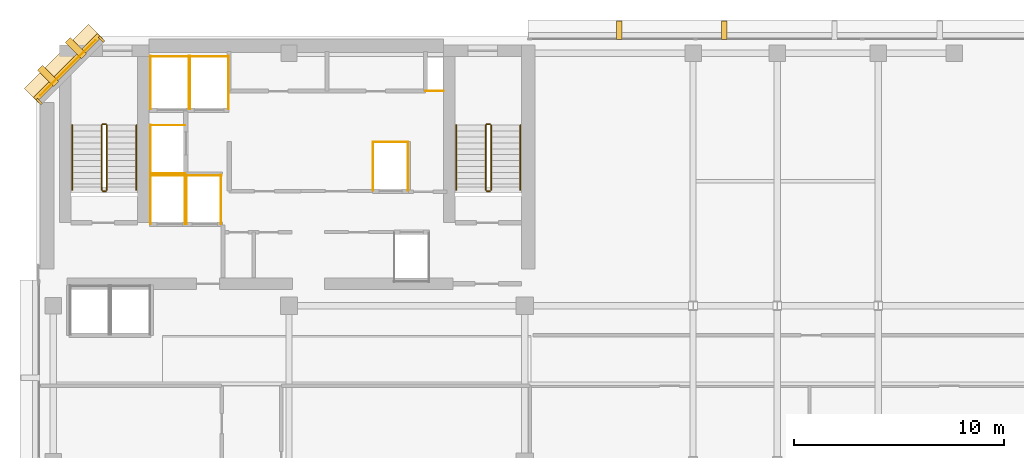
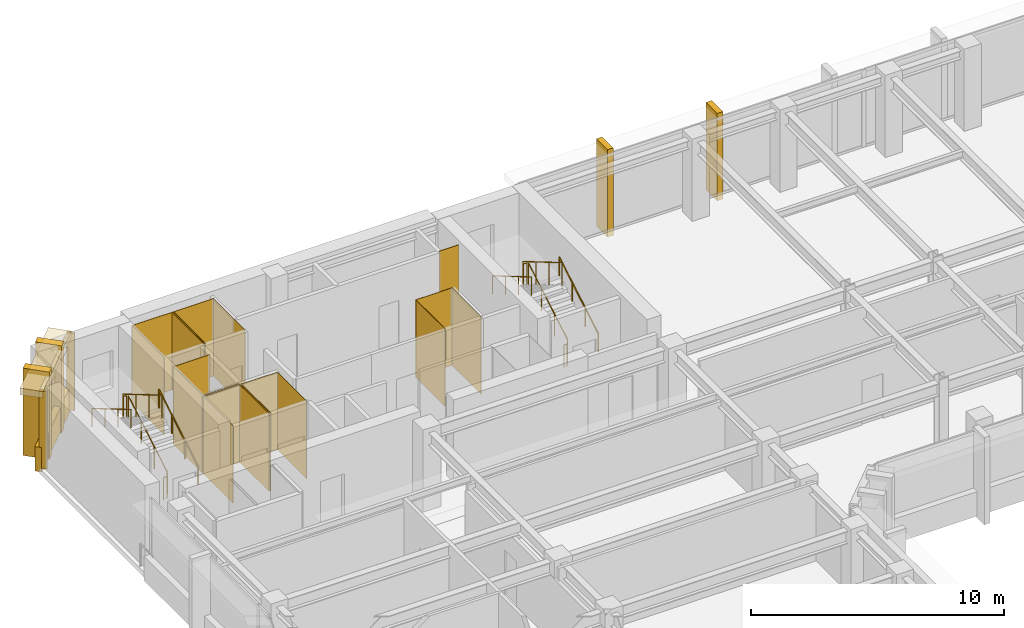
# One storey, part 11 of 12: 28 coverings, 12 railings.
"""IFC4 building model written with IfcOpenShell, lengths in metres."""

from ifc_helpers import new_model, si_unit, direction, frame, origin, origin_2d, place, context, subcontext, project, spatial, polyline, rectangle, circle, outline, extrude, material, layer, layer_set, type_object, element, save


model = new_model("IFC4")

# Units and contexts
model_context = context("Model", 3, precision=1e-05, world=origin(), true_north=direction((0.0, 1.0)))
body_context = subcontext(model_context, "Body", "Model", "MODEL_VIEW")
ifc_project = project(units=[si_unit("LENGTHUNIT", "METRE"), si_unit("AREAUNIT", "SQUARE_METRE"), si_unit("VOLUMEUNIT", "CUBIC_METRE"), si_unit("PLANEANGLEUNIT", "RADIAN"), si_unit("MASSUNIT", "GRAM", prefix="KILO")], contexts=[model_context])

# Site, building, storey
site_placement = place(None, origin())
site = spatial("IfcSite", under=ifc_project, at=site_placement, CompositionType="ELEMENT")
building_placement = place(site_placement, origin())
building = spatial("IfcBuilding", under=site, at=building_placement, Name="Kefirva Bronze Tower", CompositionType="ELEMENT")
storey_placement = place(building_placement, frame((0.0, 0.0, 268.2900390625)))
storey = spatial("IfcBuildingStorey", under=building, at=storey_placement, Name="L65", CompositionType="ELEMENT", Elevation=268.2900390625)

# Coverings
ifc_material_1 = material(Name="Bronze anodised aluminium", Category="aluminium")
ifc_layer_1 = layer(ifc_material_1, 0.02001953125, Name="Bronze anodised aluminium")
ifc_layer_set_1 = layer_set([ifc_layer_1], Name="Bronze anodised aluminium")
covering_type_1 = type_object("IfcCoveringType", Name="Anodised Bronze Spandrel Cladding 20mm", PredefinedType="CLADDING", material=ifc_layer_set_1)
covering_1_placement = place(storey_placement, frame((1.492919921875, 44.507080078125, 3.320068359375), z_axis=(0.0, 0.0, 1.0), x_axis=(-0.707106781187, -0.707106781187, 0.0)))
element("IfcCovering", 1, at=covering_1_placement, inside=storey, type_object=covering_type_1, Name="L65 Bronze Spandrel Cladding 6", PredefinedType="CLADDING", context=body_context, shape_type="SweptSolid", body=[
    extrude(rectangle(XDim=3.719482421875, YDim=0.02001953125, at=origin_2d()), origin(), (0.0, 0.0, 1.0), 0.39990234375),
])
for number, where, z_axis, x_axis, name in (
    (2, (3.08837890625, 45.862060546875, 0.0), (0.0, 0.0, 1.0), (-0.707106781187, -0.707106781187, 0.0), "L65 Facade Joint Closure Panel 6S"),
    (3, (0.137939453125, 42.91162109375, 0.0), (0.0, 0.0, 1.0), (-0.707106781187, -0.707106781187, 0.0), "L65 Facade Joint Closure Panel 6E"),
):
    element("IfcCovering", number, at=place(storey_placement, frame(where, z_axis=z_axis, x_axis=x_axis)), inside=storey, type_object=covering_type_1, Name=name, PredefinedType="CLADDING", context=body_context, shape_type="SweptSolid", body=[
        extrude(rectangle(XDim=0.10009765625, YDim=0.320068359375, at=origin_2d()), origin(), (0.0, 0.0, 1.0), 3.739990234375),
    ])
covering_2_placement = place(storey_placement, frame((1.4716796875, 44.5283203125, -0.16015625), z_axis=(0.0, 0.0, 1.0), x_axis=(-0.707106781187, -0.707106781187, 0.0)))
element("IfcCovering", 4, at=covering_2_placement, inside=storey, type_object=covering_type_1, Name="L65 Streamline Horizontal Spandrel Band 9", PredefinedType="CLADDING", context=body_context, shape_type="SweptSolid", body=[
    extrude(rectangle(XDim=4.28271484375, YDim=0.280029296875, at=origin_2d()), origin(), (0.0, 0.0, 1.0), 1.179931640625),
])
covering_3_placement = place(storey_placement, origin())
element("IfcCovering", 5, at=covering_3_placement, inside=storey, type_object=covering_type_1, Name="L65 Lift FF1 Hoistway Liner N", PredefinedType="CLADDING", context=body_context, shape_type="SweptSolid", body=[
    extrude(outline(polyline([(5.39990234375, 39.389892578125), (7.080078125, 39.389892578125), (7.080078125, 39.409912109375), (5.39990234375, 39.409912109375), (5.39990234375, 39.389892578125)])), origin(), (0.0, 0.0, 1.0), 3.739990234375),
])
covering_4_placement = place(storey_placement, origin())
element("IfcCovering", 6, at=covering_4_placement, inside=storey, type_object=covering_type_1, Name="L65 Lift FF1 Hoistway Liner W", PredefinedType="CLADDING", context=body_context, shape_type="SweptSolid", body=[
    extrude(outline(polyline([(5.409912109375, 37.080078125), (5.429931640625, 37.080078125), (5.429931640625, 39.419921875), (5.409912109375, 39.419921875), (5.409912109375, 37.080078125)])), origin(), (0.0, 0.0, 1.0), 3.739990234375),
])
covering_5_placement = place(storey_placement, origin())
element("IfcCovering", 7, at=covering_5_placement, inside=storey, type_object=covering_type_1, Name="L65 Lift FF1 Hoistway Liner E", PredefinedType="CLADDING", context=body_context, shape_type="SweptSolid", body=[
    extrude(outline(polyline([(7.050048828125, 37.080078125), (7.070068359375, 37.080078125), (7.070068359375, 39.419921875), (7.050048828125, 39.419921875), (7.050048828125, 37.080078125)])), origin(), (0.0, 0.0, 1.0), 3.739990234375),
])
covering_6_placement = place(storey_placement, origin())
element("IfcCovering", 8, at=covering_6_placement, inside=storey, type_object=covering_type_1, Name="L65 Lift FF2 Hoistway Liner N", PredefinedType="CLADDING", context=body_context, shape_type="SweptSolid", body=[
    extrude(outline(polyline([(7.1201171875, 39.389892578125), (8.800048828125, 39.389892578125), (8.800048828125, 39.409912109375), (7.1201171875, 39.409912109375), (7.1201171875, 39.389892578125)])), origin(), (0.0, 0.0, 1.0), 3.739990234375),
])
covering_7_placement = place(storey_placement, origin())
element("IfcCovering", 9, at=covering_7_placement, inside=storey, type_object=covering_type_1, Name="L65 Lift FF2 Hoistway Liner W", PredefinedType="CLADDING", context=body_context, shape_type="SweptSolid", body=[
    extrude(outline(polyline([(7.1298828125, 37.080078125), (7.14990234375, 37.080078125), (7.14990234375, 39.419921875), (7.1298828125, 39.419921875), (7.1298828125, 37.080078125)])), origin(), (0.0, 0.0, 1.0), 3.739990234375),
])
covering_8_placement = place(storey_placement, origin())
element("IfcCovering", 10, at=covering_8_placement, inside=storey, type_object=covering_type_1, Name="L65 Lift FF2 Hoistway Liner E", PredefinedType="CLADDING", context=body_context, shape_type="SweptSolid", body=[
    extrude(outline(polyline([(8.77001953125, 37.080078125), (8.7900390625, 37.080078125), (8.7900390625, 39.419921875), (8.77001953125, 39.419921875), (8.77001953125, 37.080078125)])), origin(), (0.0, 0.0, 1.0), 3.739990234375),
])
covering_9_placement = place(storey_placement, origin())
element("IfcCovering", 11, at=covering_9_placement, inside=storey, type_object=covering_type_1, Name="L65 Lift SV1 Hoistway Liner N", PredefinedType="CLADDING", context=body_context, shape_type="SweptSolid", body=[
    extrude(outline(polyline([(5.39990234375, 45.0400390625), (7.260009765625, 45.0400390625), (7.260009765625, 45.06005859375), (5.39990234375, 45.06005859375), (5.39990234375, 45.0400390625)])), origin(), (0.0, 0.0, 1.0), 3.739990234375),
])
covering_10_placement = place(storey_placement, origin())
element("IfcCovering", 12, at=covering_10_placement, inside=storey, type_object=covering_type_1, Name="L65 Lift SV1 Hoistway Liner W", PredefinedType="CLADDING", context=body_context, shape_type="SweptSolid", body=[
    extrude(outline(polyline([(5.409912109375, 42.530029296875), (5.429931640625, 42.530029296875), (5.429931640625, 45.070068359375), (5.409912109375, 45.070068359375), (5.409912109375, 42.530029296875)])), origin(), (0.0, 0.0, 1.0), 3.739990234375),
])
covering_11_placement = place(storey_placement, origin())
element("IfcCovering", 13, at=covering_11_placement, inside=storey, type_object=covering_type_1, Name="L65 Lift SV1 Hoistway Liner E", PredefinedType="CLADDING", context=body_context, shape_type="SweptSolid", body=[
    extrude(outline(polyline([(7.22998046875, 42.530029296875), (7.25, 42.530029296875), (7.25, 45.070068359375), (7.22998046875, 45.070068359375), (7.22998046875, 42.530029296875)])), origin(), (0.0, 0.0, 1.0), 3.739990234375),
])
covering_12_placement = place(storey_placement, origin())
element("IfcCovering", 14, at=covering_12_placement, inside=storey, type_object=covering_type_1, Name="L65 Lift SV2 Hoistway Liner N", PredefinedType="CLADDING", context=body_context, shape_type="SweptSolid", body=[
    extrude(outline(polyline([(7.280029296875, 45.0400390625), (9.139892578125, 45.0400390625), (9.139892578125, 45.06005859375), (7.280029296875, 45.06005859375), (7.280029296875, 45.0400390625)])), origin(), (0.0, 0.0, 1.0), 3.739990234375),
])
covering_13_placement = place(storey_placement, origin())
element("IfcCovering", 15, at=covering_13_placement, inside=storey, type_object=covering_type_1, Name="L65 Lift SV2 Hoistway Liner W", PredefinedType="CLADDING", context=body_context, shape_type="SweptSolid", body=[
    extrude(outline(polyline([(7.2900390625, 42.530029296875), (7.31005859375, 42.530029296875), (7.31005859375, 45.070068359375), (7.2900390625, 45.070068359375), (7.2900390625, 42.530029296875)])), origin(), (0.0, 0.0, 1.0), 3.739990234375),
])
covering_14_placement = place(storey_placement, origin())
element("IfcCovering", 16, at=covering_14_placement, inside=storey, type_object=covering_type_1, Name="L65 Lift SV2 Hoistway Liner E", PredefinedType="CLADDING", context=body_context, shape_type="SweptSolid", body=[
    extrude(outline(polyline([(9.110107421875, 42.530029296875), (9.1298828125, 42.530029296875), (9.1298828125, 45.070068359375), (9.110107421875, 45.070068359375), (9.110107421875, 42.530029296875)])), origin(), (0.0, 0.0, 1.0), 3.739990234375),
])
covering_15_placement = place(storey_placement, origin())
element("IfcCovering", 17, at=covering_15_placement, inside=storey, type_object=covering_type_1, Name="L65 Lift HP2 Hoistway Liner N", PredefinedType="CLADDING", context=body_context, shape_type="SweptSolid", body=[
    extrude(outline(polyline([(15.97998046875, 40.969970703125), (17.669921875, 40.969970703125), (17.669921875, 40.989990234375), (15.97998046875, 40.989990234375), (15.97998046875, 40.969970703125)])), origin(), (0.0, 0.0, 1.0), 3.739990234375),
])
covering_16_placement = place(storey_placement, origin())
element("IfcCovering", 18, at=covering_16_placement, inside=storey, type_object=covering_type_1, Name="L65 Lift HP2 Hoistway Liner W", PredefinedType="CLADDING", context=body_context, shape_type="SweptSolid", body=[
    extrude(outline(polyline([(15.989990234375, 38.659912109375), (16.010009765625, 38.659912109375), (16.010009765625, 41.0), (15.989990234375, 41.0), (15.989990234375, 38.659912109375)])), origin(), (0.0, 0.0, 1.0), 3.739990234375),
])
covering_17_placement = place(storey_placement, origin())
element("IfcCovering", 19, at=covering_17_placement, inside=storey, type_object=covering_type_1, Name="L65 Lift HP2 Hoistway Liner E", PredefinedType="CLADDING", context=body_context, shape_type="SweptSolid", body=[
    extrude(outline(polyline([(17.639892578125, 38.659912109375), (17.659912109375, 38.659912109375), (17.659912109375, 41.0), (17.639892578125, 41.0), (17.639892578125, 38.659912109375)])), origin(), (0.0, 0.0, 1.0), 3.739990234375),
])
covering_18_placement = place(storey_placement, origin())
element("IfcCovering", 20, at=covering_18_placement, inside=storey, type_object=covering_type_1, Name="L65 Lift HP3 Hoistway Liner N", PredefinedType="CLADDING", context=body_context, shape_type="SweptSolid", body=[
    extrude(outline(polyline([(5.39990234375, 41.77001953125), (7.080078125, 41.77001953125), (7.080078125, 41.7900390625), (5.39990234375, 41.7900390625), (5.39990234375, 41.77001953125)])), origin(), (0.0, 0.0, 1.0), 3.739990234375),
])
covering_19_placement = place(storey_placement, origin())
element("IfcCovering", 21, at=covering_19_placement, inside=storey, type_object=covering_type_1, Name="L65 Lift HP3 Hoistway Liner S", PredefinedType="CLADDING", context=body_context, shape_type="SweptSolid", body=[
    extrude(outline(polyline([(5.39990234375, 39.469970703125), (7.080078125, 39.469970703125), (7.080078125, 39.489990234375), (5.39990234375, 39.489990234375), (5.39990234375, 39.469970703125)])), origin(), (0.0, 0.0, 1.0), 3.739990234375),
])
covering_20_placement = place(storey_placement, origin())
element("IfcCovering", 22, at=covering_20_placement, inside=storey, type_object=covering_type_1, Name="L65 Lift HP3 Hoistway Liner W", PredefinedType="CLADDING", context=body_context, shape_type="SweptSolid", body=[
    extrude(outline(polyline([(5.409912109375, 39.4599609375), (5.429931640625, 39.4599609375), (5.429931640625, 41.800048828125), (5.409912109375, 41.800048828125), (5.409912109375, 39.4599609375)])), origin(), (0.0, 0.0, 1.0), 3.739990234375),
])
covering_21_placement = place(storey_placement, origin())
element("IfcCovering", 23, at=covering_21_placement, inside=storey, type_object=covering_type_1, Name="L65 Core MEP Riser Shaft Liner South", PredefinedType="CLADDING", context=body_context, shape_type="SweptSolid", body=[
    extrude(outline(polyline([(18.47998046875, 43.39990234375), (19.360107421875, 43.39990234375), (19.360107421875, 43.429931640625), (18.47998046875, 43.429931640625), (18.47998046875, 43.39990234375)])), origin(), (0.0, 0.0, 1.0), 3.739990234375),
])

# Railings
ifc_material_2 = material(Name="Stainless steel 316", Category="steel")
railing_type_1 = type_object("IfcRailingType", Name="Interior Stair Guardrail 1100mm", PredefinedType="GUARDRAIL", material=ifc_material_2)
railing_1_placement = place(storey_placement, frame((3.35009765625, 38.699951171875, 0.1650390625)))
element("IfcRailing", 24, at=railing_1_placement, inside=storey, type_object=railing_type_1, Name="L65 ST-1 stair guard 1", PredefinedType="GUARDRAIL", context=body_context, shape_type="SweptSolid", body=[
    extrude(circle(Radius=0.02392578125, at=origin_2d()), frame((0.0, 0.0, 1.076171875), z_axis=(0.0, 0.861551262678, 0.507670583921), x_axis=(-1.0, 0.0, 0.0)), (0.0, 0.0, 1.0), 3.574951171875),
    extrude(circle(Radius=0.02099609375, at=origin_2d()), origin(), (0.0, 0.0, 1.0), 1.052001953125),
    extrude(circle(Radius=0.02099609375, at=origin_2d()), frame((0.0, 1.026611328125, 0.60498046875)), (0.0, 0.0, 1.0), 1.052001953125),
    extrude(circle(Radius=0.02099609375, at=origin_2d()), frame((0.0, 2.053466796875, 1.2099609375)), (0.0, 0.0, 1.0), 1.052001953125),
    extrude(circle(Radius=0.02099609375, at=origin_2d()), frame((0.0, 3.080078125, 1.81494140625)), (0.0, 0.0, 1.0), 1.052001953125),
])
railing_2_placement = place(storey_placement, frame((3.300048828125, 41.830078125, 1.97998046875)))
element("IfcRailing", 25, at=railing_2_placement, inside=storey, type_object=railing_type_1, Name="L65 ST-1 stair guard 2", PredefinedType="GUARDRAIL", context=body_context, shape_type="SweptSolid", body=[
    extrude(circle(Radius=0.02392578125, at=origin_2d()), frame((0.0, 0.0, 1.076171875), z_axis=(-1.0, 0.0, 0.0), x_axis=(0.0, -1.0, 0.0)), (0.0, 0.0, 1.0), 0.150146484375),
    extrude(circle(Radius=0.02099609375, at=origin_2d()), origin(), (0.0, 0.0, 1.0), 1.052001953125),
    extrude(circle(Radius=0.02099609375, at=origin_2d()), frame((-0.150146484375, 0.0, 0.0)), (0.0, 0.0, 1.0), 1.052001953125),
])
railing_3_placement = place(storey_placement, frame((3.10009765625, 41.780029296875, 2.14501953125)))
element("IfcRailing", 26, at=railing_3_placement, inside=storey, type_object=railing_type_1, Name="L65 ST-1 stair guard 3", PredefinedType="GUARDRAIL", context=body_context, shape_type="SweptSolid", body=[
    extrude(circle(Radius=0.02392578125, at=origin_2d()), frame((0.0, 0.0, 1.076171875), z_axis=(0.0, -0.861551262678, 0.507670583921), x_axis=(1.0, 0.0, 0.0)), (0.0, 0.0, 1.0), 3.574951171875),
    extrude(circle(Radius=0.02099609375, at=origin_2d()), origin(), (0.0, 0.0, 1.0), 1.052001953125),
    extrude(circle(Radius=0.02099609375, at=origin_2d()), frame((0.0, -1.026611328125, 0.60498046875)), (0.0, 0.0, 1.0), 1.052001953125),
    extrude(circle(Radius=0.02099609375, at=origin_2d()), frame((0.0, -2.053466796875, 1.2099609375)), (0.0, 0.0, 1.0), 1.052001953125),
    extrude(circle(Radius=0.02099609375, at=origin_2d()), frame((0.0, -3.080078125, 1.81494140625)), (0.0, 0.0, 1.0), 1.052001953125),
])
railing_4_placement = place(storey_placement, frame((3.300048828125, 38.64990234375, 0.0)))
element("IfcRailing", 27, at=railing_4_placement, inside=storey, type_object=railing_type_1, Name="L65 ST-1 stair guard 4", PredefinedType="GUARDRAIL", context=body_context, shape_type="SweptSolid", body=[
    extrude(circle(Radius=0.02392578125, at=origin_2d()), frame((0.0, 0.0, 1.076171875), z_axis=(-1.0, 0.0, 0.0), x_axis=(0.0, -1.0, 0.0)), (0.0, 0.0, 1.0), 0.150146484375),
    extrude(circle(Radius=0.02099609375, at=origin_2d()), origin(), (0.0, 0.0, 1.0), 1.052001953125),
    extrude(circle(Radius=0.02099609375, at=origin_2d()), frame((-0.150146484375, 0.0, 0.0)), (0.0, 0.0, 1.0), 1.052001953125),
])
railing_5_placement = place(storey_placement, frame((21.60009765625, 38.699951171875, 0.1650390625)))
element("IfcRailing", 28, at=railing_5_placement, inside=storey, type_object=railing_type_1, Name="L65 ST-2 stair guard 1", PredefinedType="GUARDRAIL", context=body_context, shape_type="SweptSolid", body=[
    extrude(circle(Radius=0.02392578125, at=origin_2d()), frame((0.0, 0.0, 1.076171875), z_axis=(0.0, 0.861551262678, 0.507670583921), x_axis=(-1.0, 0.0, 0.0)), (0.0, 0.0, 1.0), 3.574951171875),
    extrude(circle(Radius=0.02099609375, at=origin_2d()), origin(), (0.0, 0.0, 1.0), 1.052001953125),
    extrude(circle(Radius=0.02099609375, at=origin_2d()), frame((0.0, 1.026611328125, 0.60498046875)), (0.0, 0.0, 1.0), 1.052001953125),
    extrude(circle(Radius=0.02099609375, at=origin_2d()), frame((0.0, 2.053466796875, 1.2099609375)), (0.0, 0.0, 1.0), 1.052001953125),
    extrude(circle(Radius=0.02099609375, at=origin_2d()), frame((0.0, 3.080078125, 1.81494140625)), (0.0, 0.0, 1.0), 1.052001953125),
])
railing_6_placement = place(storey_placement, frame((21.550048828125, 41.830078125, 1.97998046875)))
element("IfcRailing", 29, at=railing_6_placement, inside=storey, type_object=railing_type_1, Name="L65 ST-2 stair guard 2", PredefinedType="GUARDRAIL", context=body_context, shape_type="SweptSolid", body=[
    extrude(circle(Radius=0.02392578125, at=origin_2d()), frame((0.0, 0.0, 1.076171875), z_axis=(-1.0, 0.0, 0.0), x_axis=(0.0, -1.0, 0.0)), (0.0, 0.0, 1.0), 0.150146484375),
    extrude(circle(Radius=0.02099609375, at=origin_2d()), origin(), (0.0, 0.0, 1.0), 1.052001953125),
    extrude(circle(Radius=0.02099609375, at=origin_2d()), frame((-0.150146484375, 0.0, 0.0)), (0.0, 0.0, 1.0), 1.052001953125),
])
railing_7_placement = place(storey_placement, frame((21.35009765625, 41.780029296875, 2.14501953125)))
element("IfcRailing", 30, at=railing_7_placement, inside=storey, type_object=railing_type_1, Name="L65 ST-2 stair guard 3", PredefinedType="GUARDRAIL", context=body_context, shape_type="SweptSolid", body=[
    extrude(circle(Radius=0.02392578125, at=origin_2d()), frame((0.0, 0.0, 1.076171875), z_axis=(0.0, -0.861551262678, 0.507670583921), x_axis=(1.0, 0.0, 0.0)), (0.0, 0.0, 1.0), 3.574951171875),
    extrude(circle(Radius=0.02099609375, at=origin_2d()), origin(), (0.0, 0.0, 1.0), 1.052001953125),
    extrude(circle(Radius=0.02099609375, at=origin_2d()), frame((0.0, -1.026611328125, 0.60498046875)), (0.0, 0.0, 1.0), 1.052001953125),
    extrude(circle(Radius=0.02099609375, at=origin_2d()), frame((0.0, -2.053466796875, 1.2099609375)), (0.0, 0.0, 1.0), 1.052001953125),
    extrude(circle(Radius=0.02099609375, at=origin_2d()), frame((0.0, -3.080078125, 1.81494140625)), (0.0, 0.0, 1.0), 1.052001953125),
])
railing_8_placement = place(storey_placement, frame((21.550048828125, 38.64990234375, 0.0)))
element("IfcRailing", 31, at=railing_8_placement, inside=storey, type_object=railing_type_1, Name="L65 ST-2 stair guard 4", PredefinedType="GUARDRAIL", context=body_context, shape_type="SweptSolid", body=[
    extrude(circle(Radius=0.02392578125, at=origin_2d()), frame((0.0, 0.0, 1.076171875), z_axis=(-1.0, 0.0, 0.0), x_axis=(0.0, -1.0, 0.0)), (0.0, 0.0, 1.0), 0.150146484375),
    extrude(circle(Radius=0.02099609375, at=origin_2d()), origin(), (0.0, 0.0, 1.0), 1.052001953125),
    extrude(circle(Radius=0.02099609375, at=origin_2d()), frame((-0.150146484375, 0.0, 0.0)), (0.0, 0.0, 1.0), 1.052001953125),
])
railing_type_2 = type_object("IfcRailingType", Name="Stair Pitch Handrail 900mm", PredefinedType="HANDRAIL", material=ifc_material_2)
railing_9_placement = place(storey_placement, frame((4.75, 38.699951171875, 0.1650390625)))
element("IfcRailing", 32, at=railing_9_placement, inside=storey, type_object=railing_type_2, Name="L65 ST-1 stair handrail 1", PredefinedType="HANDRAIL", context=body_context, shape_type="SweptSolid", body=[
    extrude(circle(Radius=0.02392578125, at=origin_2d()), frame((0.0, 0.0, 0.8759765625), z_axis=(0.0, 0.861551262678, 0.507670583921), x_axis=(-1.0, 0.0, 0.0)), (0.0, 0.0, 1.0), 3.574951171875),
    extrude(circle(Radius=0.02099609375, at=origin_2d()), origin(), (0.0, 0.0, 1.0), 0.851806640625),
    extrude(circle(Radius=0.02099609375, at=origin_2d()), frame((0.0, 1.026611328125, 0.60498046875)), (0.0, 0.0, 1.0), 0.851806640625),
    extrude(circle(Radius=0.02099609375, at=origin_2d()), frame((0.0, 2.053466796875, 1.2099609375)), (0.0, 0.0, 1.0), 0.851806640625),
    extrude(circle(Radius=0.02099609375, at=origin_2d()), frame((0.0, 3.080078125, 1.81494140625)), (0.0, 0.0, 1.0), 0.851806640625),
])
railing_10_placement = place(storey_placement, frame((1.699951171875, 41.780029296875, 2.14501953125)))
element("IfcRailing", 33, at=railing_10_placement, inside=storey, type_object=railing_type_2, Name="L65 ST-1 stair handrail 2", PredefinedType="HANDRAIL", context=body_context, shape_type="SweptSolid", body=[
    extrude(circle(Radius=0.02392578125, at=origin_2d()), frame((0.0, 0.0, 0.8759765625), z_axis=(0.0, -0.861551262678, 0.507670583921), x_axis=(1.0, 0.0, 0.0)), (0.0, 0.0, 1.0), 3.574951171875),
    extrude(circle(Radius=0.02099609375, at=origin_2d()), origin(), (0.0, 0.0, 1.0), 0.851806640625),
    extrude(circle(Radius=0.02099609375, at=origin_2d()), frame((0.0, -1.026611328125, 0.60498046875)), (0.0, 0.0, 1.0), 0.851806640625),
    extrude(circle(Radius=0.02099609375, at=origin_2d()), frame((0.0, -2.053466796875, 1.2099609375)), (0.0, 0.0, 1.0), 0.851806640625),
    extrude(circle(Radius=0.02099609375, at=origin_2d()), frame((0.0, -3.080078125, 1.81494140625)), (0.0, 0.0, 1.0), 0.851806640625),
])
railing_11_placement = place(storey_placement, frame((23.0, 38.699951171875, 0.1650390625)))
element("IfcRailing", 34, at=railing_11_placement, inside=storey, type_object=railing_type_2, Name="L65 ST-2 stair handrail 1", PredefinedType="HANDRAIL", context=body_context, shape_type="SweptSolid", body=[
    extrude(circle(Radius=0.02392578125, at=origin_2d()), frame((0.0, 0.0, 0.8759765625), z_axis=(0.0, 0.861551262678, 0.507670583921), x_axis=(-1.0, 0.0, 0.0)), (0.0, 0.0, 1.0), 3.574951171875),
    extrude(circle(Radius=0.02099609375, at=origin_2d()), origin(), (0.0, 0.0, 1.0), 0.851806640625),
    extrude(circle(Radius=0.02099609375, at=origin_2d()), frame((0.0, 1.026611328125, 0.60498046875)), (0.0, 0.0, 1.0), 0.851806640625),
    extrude(circle(Radius=0.02099609375, at=origin_2d()), frame((0.0, 2.053466796875, 1.2099609375)), (0.0, 0.0, 1.0), 0.851806640625),
    extrude(circle(Radius=0.02099609375, at=origin_2d()), frame((0.0, 3.080078125, 1.81494140625)), (0.0, 0.0, 1.0), 0.851806640625),
])
railing_12_placement = place(storey_placement, frame((19.949951171875, 41.780029296875, 2.14501953125)))
element("IfcRailing", 35, at=railing_12_placement, inside=storey, type_object=railing_type_2, Name="L65 ST-2 stair handrail 2", PredefinedType="HANDRAIL", context=body_context, shape_type="SweptSolid", body=[
    extrude(circle(Radius=0.02392578125, at=origin_2d()), frame((0.0, 0.0, 0.8759765625), z_axis=(0.0, -0.861551262678, 0.507670583921), x_axis=(1.0, 0.0, 0.0)), (0.0, 0.0, 1.0), 3.574951171875),
    extrude(circle(Radius=0.02099609375, at=origin_2d()), origin(), (0.0, 0.0, 1.0), 0.851806640625),
    extrude(circle(Radius=0.02099609375, at=origin_2d()), frame((0.0, -1.026611328125, 0.60498046875)), (0.0, 0.0, 1.0), 0.851806640625),
    extrude(circle(Radius=0.02099609375, at=origin_2d()), frame((0.0, -2.053466796875, 1.2099609375)), (0.0, 0.0, 1.0), 0.851806640625),
    extrude(circle(Radius=0.02099609375, at=origin_2d()), frame((0.0, -3.080078125, 1.81494140625)), (0.0, 0.0, 1.0), 0.851806640625),
])

# Coverings
ifc_layer_2 = layer(ifc_material_1, 0.179931640625, Name="Bronze anodised aluminium")
ifc_layer_set_2 = layer_set([ifc_layer_2], Name="Bronze anodised aluminium")
covering_type_2 = type_object("IfcCoveringType", Name="Streamline Bronze Sunshade Eyebrow Cladding 180mm", PredefinedType="CLADDING", material=ifc_layer_set_2)
covering_22_placement = place(storey_placement, frame((1.28076171875, 44.71923828125, 3.419921875), z_axis=(0.0, 0.0, 1.0), x_axis=(-0.707106781187, -0.707106781187, 0.0)))
element("IfcCovering", 36, at=covering_22_placement, inside=storey, type_object=covering_type_2, Name="L65 Streamline Bronze Sunshade Eyebrow 9", PredefinedType="CLADDING", context=body_context, shape_type="SweptSolid", body=[
    extrude(rectangle(XDim=4.322509765625, YDim=0.93994140625, at=origin_2d()), origin(), (0.0, 0.0, 1.0), 0.320068359375),
])
ifc_layer_3 = layer(ifc_material_1, 0.260009765625, Name="Bronze anodised aluminium")
ifc_layer_set_3 = layer_set([ifc_layer_3], Name="Bronze anodised aluminium")
covering_type_3 = type_object("IfcCoveringType", Name="Unbroken Bronze Buttress Fin Cladding 260mm", PredefinedType="CLADDING", material=ifc_layer_set_3)
for number, where, z_axis, x_axis, name in (
    (37, (32.68505859375, 46.300048828125, -0.25), (0.0, 0.0, 1.0), (-1.0, 0.0, 0.0), "L65 Unbroken Vertical Bronze Rib Fin 19"),
    (38, (27.68798828125, 46.300048828125, -0.25), (0.0, 0.0, 1.0), (-1.0, 0.0, 0.0), "L65 Unbroken Vertical Bronze Rib Fin 20"),
):
    element("IfcCovering", number, at=place(storey_placement, frame(where, z_axis=z_axis, x_axis=x_axis)), inside=storey, type_object=covering_type_3, Name=name, PredefinedType="CLADDING", context=body_context, shape_type="SweptSolid", body=[
        extrude(rectangle(XDim=0.260009765625, YDim=0.8798828125, at=origin_2d()), origin(), (0.0, 0.0, 1.0), 4.2099609375),
    ])
for number, where, z_axis, x_axis, name in (
    (39, (1.877197265625, 45.44287109375, -0.25), (0.0, 0.0, 1.0), (-0.707106781187, -0.707106781187, 0.0), "L65 Chamfered Corner Buttress Fin Cladding 21"),
    (40, (0.55712890625, 44.122802734375, -0.25), (0.0, 0.0, 1.0), (-0.707106781187, -0.707106781187, 0.0), "L65 Chamfered Corner Buttress Fin Cladding 22"),
):
    element("IfcCovering", number, at=place(storey_placement, frame(where, z_axis=z_axis, x_axis=x_axis)), inside=storey, type_object=covering_type_3, Name=name, PredefinedType="CLADDING", context=body_context, shape_type="SweptSolid", body=[
        extrude(rectangle(XDim=0.340087890625, YDim=1.080078125, at=origin_2d()), origin(), (0.0, 0.0, 1.0), 4.2099609375),
    ])

save(model, "model.ifc")
